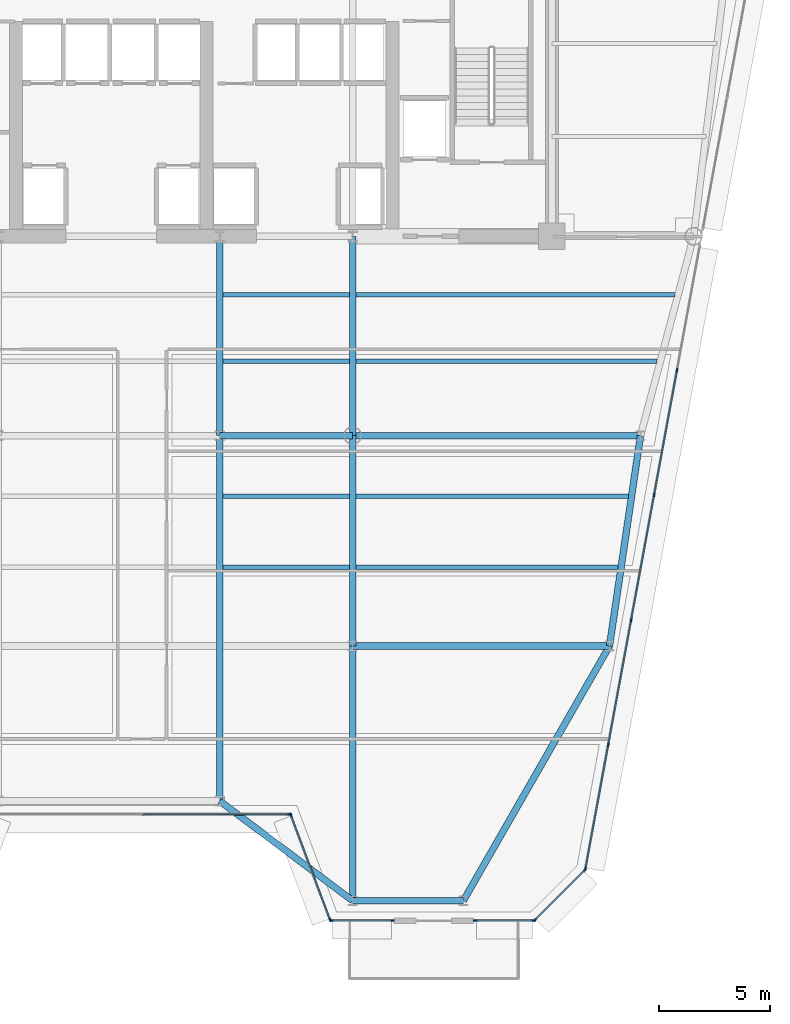
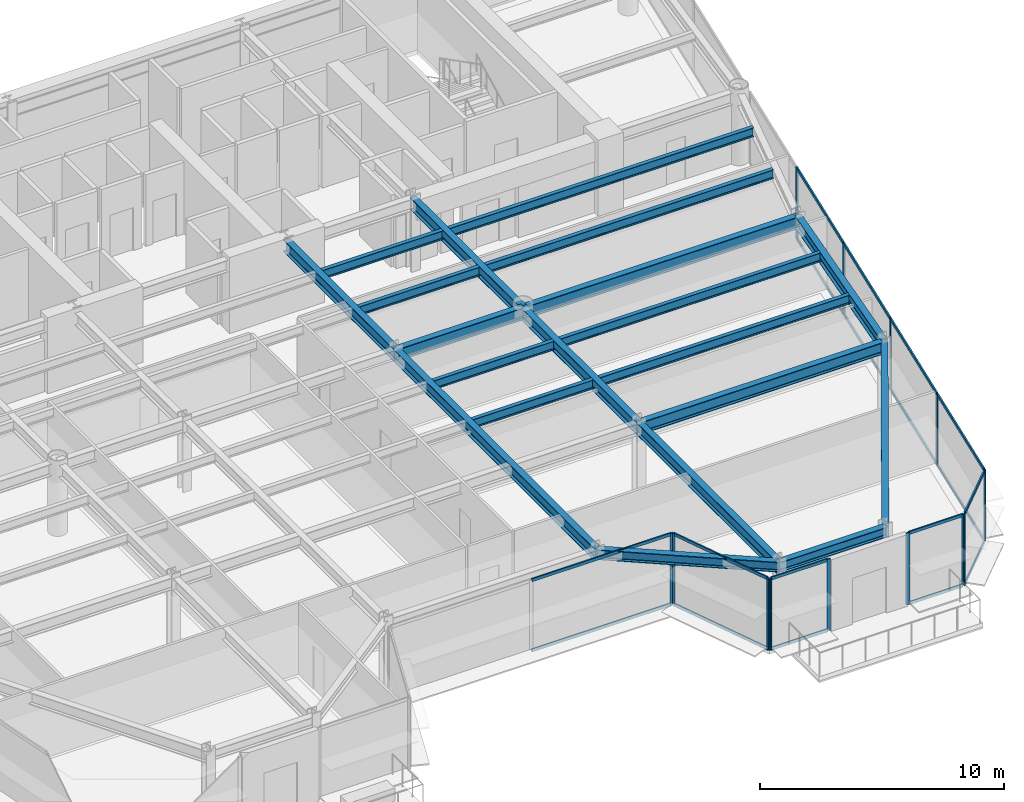
# One storey, part 5 of 17: 32 members, 20 beams, 6 elements without a shape of their own.
"""IFC4 building model written with IfcOpenShell, lengths in metres."""

from ifc_helpers import new_model, si_unit, direction, frame, origin, origin_2d, place, context, subcontext, project, spatial, rectangle, i_section, extrude, source, transform, mapped, material, layer, layer_set, material_profile, profile_set, type_object, element, aggregate, save


model = new_model("IFC4")

# Units and contexts
model_context = context("Model", 3, precision=1e-05, world=origin(), true_north=direction((0.0, 1.0)))
body_context = subcontext(model_context, "Body", "Model", "MODEL_VIEW")
ifc_project = project(units=[si_unit("LENGTHUNIT", "METRE"), si_unit("AREAUNIT", "SQUARE_METRE"), si_unit("VOLUMEUNIT", "CUBIC_METRE"), si_unit("PLANEANGLEUNIT", "RADIAN"), si_unit("MASSUNIT", "GRAM", prefix="KILO")], contexts=[model_context])

# Site, building, storey
site_placement = place(None, origin())
site = spatial("IfcSite", under=ifc_project, at=site_placement, CompositionType="ELEMENT")
building_placement = place(site_placement, origin())
building = spatial("IfcBuilding", under=site, at=building_placement, Name="Vaeldorn Concourse Tower", CompositionType="ELEMENT")
storey_placement = place(building_placement, frame((0.0, 0.0, 180.39990234375)))
storey = spatial("IfcBuildingStorey", under=building, at=storey_placement, Name="L46", CompositionType="ELEMENT", Elevation=180.39990234375)

# Beams
ifc_material_1 = material(Name="Steel S355", Category="steel")
ifc_material_profile_1 = material_profile(ifc_material_1, i_section(OverallWidth=0.300048828125, OverallDepth=0.5, WebThickness=0.014404296875, FlangeThickness=0.028076171875, FilletRadius=0.027099609375, at=origin_2d()), Name="HEB 500")
ifc_profile_set_1 = profile_set([ifc_material_profile_1], Name="Steel S355")
beam_type_1 = type_object("IfcBeamType", Name="BM-SP-HEB500", PredefinedType="SPANDREL", material=ifc_profile_set_1)
shared_shape_1 = source(origin(), body_context, "Body", "SweptSolid", [
    extrude(i_section(OverallWidth=0.300048828125, OverallDepth=0.5, WebThickness=0.014404296875, FlangeThickness=0.028076171875, FilletRadius=0.027099609375, at=origin_2d()), origin(), (0.0, 0.0, 1.0), 5.0),
])
beam_1_placement = place(storey_placement, frame((45.0, 6.5, 3.330078125), z_axis=(1.0, 0.0, 0.0), x_axis=(0.0, 1.0, 0.0)))
element("IfcBeam", 1, at=beam_1_placement, inside=storey, type_object=beam_type_1, Name="Beam BM-L46-C-SF5-C-SF6", PredefinedType="SPANDREL", context=body_context, shape_type="MappedRepresentation", body=[
    mapped(shared_shape_1, transform((0.0, 0.0, 0.0), scale=1.0)),
])
shared_shape_2 = source(origin(), body_context, "Body", "SweptSolid", [
    extrude(i_section(OverallWidth=0.300048828125, OverallDepth=0.5, WebThickness=0.014404296875, FlangeThickness=0.028076171875, FilletRadius=0.027099609375, at=origin_2d()), origin(), (0.0, 0.0, 1.0), 7.5),
])
beam_2_placement = place(storey_placement, frame((39.0, 11.0, 3.330078125), z_axis=(0.8, -0.6, 0.0), x_axis=(0.6, 0.8, 0.0)))
element("IfcBeam", 2, at=beam_2_placement, inside=storey, type_object=beam_type_1, Name="Beam BM-L46-C-SF4-C-SF5", PredefinedType="SPANDREL", context=body_context, shape_type="MappedRepresentation", body=[
    mapped(shared_shape_2, transform((0.0, 0.0, 0.0), scale=1.0)),
])
ifc_material_profile_2 = material_profile(ifc_material_1, i_section(OverallWidth=0.18994140625, OverallDepth=0.449951171875, WebThickness=0.009521484375, FlangeThickness=0.0146484375, FilletRadius=0.02099609375, at=origin_2d()), Name="IPE 450")
ifc_profile_set_2 = profile_set([ifc_material_profile_2], Name="Steel S355")
beam_type_2 = type_object("IfcBeamType", Name="BM-JS-IPE450", PredefinedType="JOIST", material=ifc_profile_set_2)
shared_shape_3 = source(origin(), body_context, "Body", "SweptSolid", [
    extrude(i_section(OverallWidth=0.18994140625, OverallDepth=0.449951171875, WebThickness=0.009521484375, FlangeThickness=0.0146484375, FilletRadius=0.02099609375, at=origin_2d()), origin(), (0.0, 0.0, 1.0), 5.7001953125),
])
for number, where, z_axis, x_axis, name in (
    (3, (39.14990234375, 21.56005859375, 3.35498046875), (1.0, 0.0, 0.0), (0.0, 1.0, 0.0), "Beam JS-L46-E2-215"),
    (4, (39.14990234375, 24.760009765625, 3.35498046875), (1.0, 0.0, 0.0), (0.0, 1.0, 0.0), "Beam JS-L46-E2-247"),
    (5, (39.14990234375, 30.860107421875, 3.35498046875), (1.0, 0.0, 0.0), (0.0, 1.0, 0.0), "Beam JS-L46-E2-308"),
    (6, (39.14990234375, 33.860107421875, 3.35498046875), (1.0, 0.0, 0.0), (0.0, 1.0, 0.0), "Beam JS-L46-E2-338"),
):
    element("IfcBeam", number, at=place(storey_placement, frame(where, z_axis=z_axis, x_axis=x_axis)), inside=storey, type_object=beam_type_2, Name=name, PredefinedType="JOIST", context=body_context, shape_type="MappedRepresentation", body=[
        mapped(shared_shape_3, transform((0.0, 0.0, 0.0), scale=1.0)),
    ])
shared_shape_4 = source(origin(), body_context, "Body", "SweptSolid", [
    extrude(i_section(OverallWidth=0.18994140625, OverallDepth=0.449951171875, WebThickness=0.009521484375, FlangeThickness=0.0146484375, FilletRadius=0.02099609375, at=origin_2d()), origin(), (0.0, 0.0, 1.0), 11.82470703125),
])
beam_3_placement = place(storey_placement, frame((45.14990234375, 21.56005859375, 3.35498046875), z_axis=(1.0, 0.0, 0.0), x_axis=(0.0, 1.0, 0.0)))
element("IfcBeam", 7, at=beam_3_placement, inside=storey, type_object=beam_type_2, Name="Beam JS-L46-E1-215", PredefinedType="JOIST", context=body_context, shape_type="MappedRepresentation", body=[
    mapped(shared_shape_4, transform((0.0, 0.0, 0.0), scale=1.0)),
])
shared_shape_5 = source(origin(), body_context, "Body", "SweptSolid", [
    extrude(i_section(OverallWidth=0.18994140625, OverallDepth=0.449951171875, WebThickness=0.009521484375, FlangeThickness=0.0146484375, FilletRadius=0.02099609375, at=origin_2d()), origin(), (0.0, 0.0, 1.0), 12.29638671875),
])
beam_4_placement = place(storey_placement, frame((45.14990234375, 24.760009765625, 3.35498046875), z_axis=(1.0, 0.0, 0.0), x_axis=(0.0, 1.0, 0.0)))
element("IfcBeam", 8, at=beam_4_placement, inside=storey, type_object=beam_type_2, Name="Beam JS-L46-E1-247", PredefinedType="JOIST", context=body_context, shape_type="MappedRepresentation", body=[
    mapped(shared_shape_5, transform((0.0, 0.0, 0.0), scale=1.0)),
])
shared_shape_6 = source(origin(), body_context, "Body", "SweptSolid", [
    extrude(i_section(OverallWidth=0.18994140625, OverallDepth=0.449951171875, WebThickness=0.009521484375, FlangeThickness=0.0146484375, FilletRadius=0.02099609375, at=origin_2d()), origin(), (0.0, 0.0, 1.0), 13.59619140625),
])
beam_5_placement = place(storey_placement, frame((45.14990234375, 30.860107421875, 3.35498046875), z_axis=(1.0, 0.0, 0.0), x_axis=(0.0, 1.0, 0.0)))
element("IfcBeam", 9, at=beam_5_placement, inside=storey, type_object=beam_type_2, Name="Beam JS-L46-E1-308", PredefinedType="JOIST", context=body_context, shape_type="MappedRepresentation", body=[
    mapped(shared_shape_6, transform((0.0, 0.0, 0.0), scale=1.0)),
])
shared_shape_7 = source(origin(), body_context, "Body", "SweptSolid", [
    extrude(i_section(OverallWidth=0.18994140625, OverallDepth=0.449951171875, WebThickness=0.009521484375, FlangeThickness=0.0146484375, FilletRadius=0.02099609375, at=origin_2d()), origin(), (0.0, 0.0, 1.0), 14.39599609375),
])
beam_6_placement = place(storey_placement, frame((45.14990234375, 33.860107421875, 3.35498046875), z_axis=(1.0, 0.0, 0.0), x_axis=(0.0, 1.0, 0.0)))
element("IfcBeam", 10, at=beam_6_placement, inside=storey, type_object=beam_type_2, Name="Beam JS-L46-E1-338", PredefinedType="JOIST", context=body_context, shape_type="MappedRepresentation", body=[
    mapped(shared_shape_7, transform((0.0, 0.0, 0.0), scale=1.0)),
])
ifc_material_profile_3 = material_profile(ifc_material_1, i_section(OverallWidth=0.300048828125, OverallDepth=0.60009765625, WebThickness=0.015380859375, FlangeThickness=0.030029296875, FilletRadius=0.027099609375, at=origin_2d()), Name="HEB 600")
ifc_profile_set_3 = profile_set([ifc_material_profile_3], Name="Steel S355")
beam_type_3 = type_object("IfcBeamType", Name="BM-PG-HEB600", PredefinedType="BEAM", material=ifc_profile_set_3)
shared_shape_8 = source(origin(), body_context, "Body", "SweptSolid", [
    extrude(i_section(OverallWidth=0.300048828125, OverallDepth=0.60009765625, WebThickness=0.015380859375, FlangeThickness=0.030029296875, FilletRadius=0.027099609375, at=origin_2d()), origin(), (0.0, 0.0, 1.0), 6.0),
])
beam_7_placement = place(storey_placement, frame((39.0, 27.5, 3.280029296875), z_axis=(1.0, 0.0, 0.0), x_axis=(0.0, 1.0, 0.0)))
element("IfcBeam", 11, at=beam_7_placement, inside=storey, type_object=beam_type_3, Name="Beam BM-L46-C-TW3-C-TW4", PredefinedType="BEAM", context=body_context, shape_type="MappedRepresentation", body=[
    mapped(shared_shape_8, transform((0.0, 0.0, 0.0), scale=1.0)),
])
shared_shape_9 = source(origin(), body_context, "Body", "SweptSolid", [
    extrude(i_section(OverallWidth=0.300048828125, OverallDepth=0.60009765625, WebThickness=0.015380859375, FlangeThickness=0.030029296875, FilletRadius=0.027099609375, at=origin_2d()), origin(), (0.0, 0.0, 1.0), 9.0),
])
for number, where, z_axis, x_axis, name in (
    (12, (39.0, 27.5, 3.280029296875), (0.0, 1.0, 0.0), (-1.0, 0.0, 0.0), "Beam BM-L46-C-TW3-C-FC4"),
    (13, (45.0, 27.5, 3.280029296875), (0.0, 1.0, 0.0), (-1.0, 0.0, 0.0), "Beam BM-L46-C-TW4-C-FC5"),
):
    element("IfcBeam", number, at=place(storey_placement, frame(where, z_axis=z_axis, x_axis=x_axis)), inside=storey, type_object=beam_type_3, Name=name, PredefinedType="BEAM", context=body_context, shape_type="MappedRepresentation", body=[
        mapped(shared_shape_9, transform((0.0, 0.0, 0.0), scale=1.0)),
    ])
shared_shape_10 = source(origin(), body_context, "Body", "SweptSolid", [
    extrude(i_section(OverallWidth=0.300048828125, OverallDepth=0.60009765625, WebThickness=0.015380859375, FlangeThickness=0.030029296875, FilletRadius=0.027099609375, at=origin_2d()), origin(), (0.0, 0.0, 1.0), 13.0),
])
beam_8_placement = place(storey_placement, frame((45.0, 27.5, 3.280029296875), z_axis=(1.0, 0.0, 0.0), x_axis=(0.0, 1.0, 0.0)))
element("IfcBeam", 14, at=beam_8_placement, inside=storey, type_object=beam_type_3, Name="Beam BM-L46-C-TW4-C-FLE1", PredefinedType="BEAM", context=body_context, shape_type="MappedRepresentation", body=[
    mapped(shared_shape_10, transform((0.0, 0.0, 0.0), scale=1.0)),
])
shared_shape_11 = source(origin(), body_context, "Body", "SweptSolid", [
    extrude(i_section(OverallWidth=0.300048828125, OverallDepth=0.60009765625, WebThickness=0.015380859375, FlangeThickness=0.030029296875, FilletRadius=0.027099609375, at=origin_2d()), origin(), (0.0, 0.0, 1.0), 9.6025390625),
])
beam_9_placement = place(storey_placement, frame((58.0, 27.5, 3.280029296875), z_axis=(-0.145783835977, -0.989316467652, 0.0), x_axis=(0.989316467652, -0.145783835977, 0.0)))
element("IfcBeam", 15, at=beam_9_placement, inside=storey, type_object=beam_type_3, Name="Beam BM-L46-C-FLE1-C-FLE2", PredefinedType="BEAM", context=body_context, shape_type="MappedRepresentation", body=[
    mapped(shared_shape_11, transform((0.0, 0.0, 0.0), scale=1.0)),
])
shared_shape_12 = source(origin(), body_context, "Body", "SweptSolid", [
    extrude(i_section(OverallWidth=0.300048828125, OverallDepth=0.60009765625, WebThickness=0.015380859375, FlangeThickness=0.030029296875, FilletRadius=0.027099609375, at=origin_2d()), origin(), (0.0, 0.0, 1.0), 11.60009765625),
])
beam_10_placement = place(storey_placement, frame((45.0, 18.0, 3.280029296875), z_axis=(1.0, 0.0, 0.0), x_axis=(0.0, 1.0, 0.0)))
element("IfcBeam", 16, at=beam_10_placement, inside=storey, type_object=beam_type_3, Name="Beam BM-L46-C-TW6-C-FLE2", PredefinedType="BEAM", context=body_context, shape_type="MappedRepresentation", body=[
    mapped(shared_shape_12, transform((0.0, 0.0, 0.0), scale=1.0)),
])
shared_shape_13 = source(origin(), body_context, "Body", "SweptSolid", [
    extrude(i_section(OverallWidth=0.300048828125, OverallDepth=0.60009765625, WebThickness=0.015380859375, FlangeThickness=0.030029296875, FilletRadius=0.027099609375, at=origin_2d()), origin(), (0.0, 0.0, 1.0), 9.5),
])
beam_11_placement = place(storey_placement, frame((45.0, 18.0, 3.280029296875), z_axis=(0.0, 1.0, 0.0), x_axis=(-1.0, 0.0, 0.0)))
element("IfcBeam", 17, at=beam_11_placement, inside=storey, type_object=beam_type_3, Name="Beam BM-L46-C-TW6-C-TW4", PredefinedType="BEAM", context=body_context, shape_type="MappedRepresentation", body=[
    mapped(shared_shape_13, transform((0.0, 0.0, 0.0), scale=1.0)),
])
shared_shape_14 = source(origin(), body_context, "Body", "SweptSolid", [
    extrude(i_section(OverallWidth=0.300048828125, OverallDepth=0.60009765625, WebThickness=0.015380859375, FlangeThickness=0.030029296875, FilletRadius=0.027099609375, at=origin_2d()), origin(), (0.0, 0.0, 1.0), 13.25927734375),
])
beam_12_placement = place(storey_placement, frame((50.0, 6.5, 3.280029296875), z_axis=(0.497768009943, 0.867310214558, 0.0), x_axis=(-0.867310214558, 0.497768009943, 0.0)))
element("IfcBeam", 18, at=beam_12_placement, inside=storey, type_object=beam_type_3, Name="Beam BM-L46-C-SF6-C-FLE2", PredefinedType="BEAM", context=body_context, shape_type="MappedRepresentation", body=[
    mapped(shared_shape_14, transform((0.0, 0.0, 0.0), scale=1.0)),
])
shared_shape_15 = source(origin(), body_context, "Body", "SweptSolid", [
    extrude(i_section(OverallWidth=0.300048828125, OverallDepth=0.60009765625, WebThickness=0.015380859375, FlangeThickness=0.030029296875, FilletRadius=0.027099609375, at=origin_2d()), origin(), (0.0, 0.0, 1.0), 11.5),
])
beam_13_placement = place(storey_placement, frame((45.0, 6.5, 3.280029296875), z_axis=(0.0, 1.0, 0.0), x_axis=(-1.0, 0.0, 0.0)))
element("IfcBeam", 19, at=beam_13_placement, inside=storey, type_object=beam_type_3, Name="Beam BM-L46-C-SF5-C-TW6", PredefinedType="BEAM", context=body_context, shape_type="MappedRepresentation", body=[
    mapped(shared_shape_15, transform((0.0, 0.0, 0.0), scale=1.0)),
])
shared_shape_16 = source(origin(), body_context, "Body", "SweptSolid", [
    extrude(i_section(OverallWidth=0.300048828125, OverallDepth=0.60009765625, WebThickness=0.015380859375, FlangeThickness=0.030029296875, FilletRadius=0.027099609375, at=origin_2d()), origin(), (0.0, 0.0, 1.0), 16.5),
])
beam_14_placement = place(storey_placement, frame((39.0, 11.0, 3.280029296875), z_axis=(0.0, 1.0, 0.0), x_axis=(-1.0, 0.0, 0.0)))
element("IfcBeam", 20, at=beam_14_placement, inside=storey, type_object=beam_type_3, Name="Beam BM-L46-C-SF4-C-TW3", PredefinedType="BEAM", context=body_context, shape_type="MappedRepresentation", body=[
    mapped(shared_shape_16, transform((0.0, 0.0, 0.0), scale=1.0)),
])

# Curtain wall, members
ifc_material_2 = material(Name="Anodised Bronze Aluminium", Category="aluminium")
ifc_layer = layer(ifc_material_2, 0.2099609375)
ifc_layer_set = layer_set([ifc_layer], Name="Anodised Bronze Aluminium")
curtain_wall_type = type_object("IfcCurtainWallType", Name="CW-SYS-06", PredefinedType="NOTDEFINED", material=ifc_layer_set)
curtain_wall_1_placement = place(storey_placement, origin())
curtain_wall_1 = element("IfcCurtainWall", 21, at=curtain_wall_1_placement, inside=storey, type_object=curtain_wall_type, Name="Unitised Curtain Wall CW-L46-E04-1", PredefinedType="NOTDEFINED")
ifc_material_profile_4 = material_profile(ifc_material_2, rectangle(XDim=0.06494140625, YDim=0.14990234375, at=origin_2d()), Name="CWT 65x150")
ifc_profile_set_4 = profile_set([ifc_material_profile_4], Name="Anodised Bronze Aluminium")
member_type_1 = type_object("IfcMemberType", Name="CWT-BRONZE-150", PredefinedType="USERDEFINED", material=ifc_profile_set_4)
shared_shape_17 = source(origin(), body_context, "Body", "SweptSolid", [
    extrude(rectangle(XDim=0.06494140625, YDim=0.14990234375, at=origin_2d()), origin(), (0.0, 0.0, 1.0), 4.996337890625),
])
member_1_placement = place(storey_placement, frame((42.222900390625, 10.339111328125, 0.03271484375), z_axis=(0.351134151405, -0.936325161318, 0.0), x_axis=(0.936325161318, 0.351134151405, 0.0)))
member_1 = element("IfcMember", 22, at=member_1_placement, type_object=member_type_1, Name="CW-06 transom 1.1", ObjectType="TRANSOM", PredefinedType="USERDEFINED", context=body_context, shape_type="MappedRepresentation", body=[
    mapped(shared_shape_17, transform((0.0, 0.0, 0.0), scale=1.0)),
])
member_2_placement = place(storey_placement, frame((42.222900390625, 10.339111328125, 3.547607421875), z_axis=(0.351134151405, -0.936325161318, 0.0), x_axis=(0.936325161318, 0.351134151405, 0.0)))
member_2 = element("IfcMember", 23, at=member_2_placement, type_object=member_type_1, Name="CW-06 transom 1.2", ObjectType="TRANSOM", PredefinedType="USERDEFINED", context=body_context, shape_type="MappedRepresentation", body=[
    mapped(shared_shape_17, transform((0.0, 0.0, 0.0), scale=1.0)),
])

curtain_wall_2_placement = place(storey_placement, origin())
curtain_wall_2 = element("IfcCurtainWall", 24, at=curtain_wall_2_placement, inside=storey, type_object=curtain_wall_type, Name="Unitised Curtain Wall CW-L46-E03-1", PredefinedType="NOTDEFINED")
shared_shape_18 = source(origin(), body_context, "Body", "SweptSolid", [
    extrude(rectangle(XDim=0.06494140625, YDim=0.14990234375, at=origin_2d()), origin(), (0.0, 0.0, 1.0), 6.6025390625),
])
member_3_placement = place(storey_placement, frame((35.532470703125, 10.39990234375, 0.03271484375), z_axis=(1.0, 0.0, 0.0), x_axis=(0.0, 1.0, 0.0)))
member_3 = element("IfcMember", 25, at=member_3_placement, type_object=member_type_1, Name="CW-06 transom 2.1", ObjectType="TRANSOM", PredefinedType="USERDEFINED", context=body_context, shape_type="MappedRepresentation", body=[
    mapped(shared_shape_18, transform((0.0, 0.0, 0.0), scale=1.0)),
])
member_4_placement = place(storey_placement, frame((35.532470703125, 10.39990234375, 3.547607421875), z_axis=(1.0, 0.0, 0.0), x_axis=(0.0, 1.0, 0.0)))
member_4 = element("IfcMember", 26, at=member_4_placement, type_object=member_type_1, Name="CW-06 transom 2.2", ObjectType="TRANSOM", PredefinedType="USERDEFINED", context=body_context, shape_type="MappedRepresentation", body=[
    mapped(shared_shape_18, transform((0.0, 0.0, 0.0), scale=1.0)),
])
ifc_material_profile_5 = material_profile(ifc_material_2, rectangle(XDim=0.06494140625, YDim=0.169921875, at=origin_2d()), Name="CWM 65x170")
ifc_profile_set_5 = profile_set([ifc_material_profile_5], Name="Anodised Bronze Aluminium")
member_type_2 = type_object("IfcMemberType", Name="CWM-BRONZE-170", PredefinedType="MULLION", material=ifc_profile_set_5)
shared_shape_19 = source(origin(), body_context, "Body", "SweptSolid", [
    extrude(rectangle(XDim=0.06494140625, YDim=0.169921875, at=origin_2d()), origin(), (0.0, 0.0, 1.0), 3.580078125),
])
member_5_placement = place(storey_placement, frame((42.16748046875, 10.39990234375, 0.0), z_axis=(0.0, 0.0, 1.0), x_axis=(0.0, 1.0, 0.0)))
member_5 = element("IfcMember", 27, at=member_5_placement, type_object=member_type_2, Name="CW-06 mullion 3", PredefinedType="MULLION", context=body_context, shape_type="MappedRepresentation", body=[
    mapped(shared_shape_19, transform((0.0, 0.0, 0.0), scale=1.0)),
])
aggregate(curtain_wall_2, [member_5, member_3, member_4])

# Member
member_6_placement = place(storey_placement, frame((42.21142578125, 10.36962890625, 0.0), z_axis=(0.0, 0.0, 1.0), x_axis=(0.936329177566, 0.351123441595, 0.0)))
member_6 = element("IfcMember", 28, at=member_6_placement, type_object=member_type_2, Name="CW-06 mullion 1", PredefinedType="MULLION", context=body_context, shape_type="MappedRepresentation", body=[
    mapped(shared_shape_19, transform((0.0, 0.0, 0.0), scale=1.0)),
])

member_7_placement = place(storey_placement, frame((43.988525390625, 5.63037109375, 0.0), z_axis=(0.0, 0.0, 1.0), x_axis=(0.936329177566, 0.351123441595, 0.0)))
member_7 = element("IfcMember", 29, at=member_7_placement, type_object=member_type_2, Name="CW-06 mullion 2", PredefinedType="MULLION", context=body_context, shape_type="MappedRepresentation", body=[
    mapped(shared_shape_19, transform((0.0, 0.0, 0.0), scale=1.0)),
])

aggregate(curtain_wall_1, [member_6, member_7, member_1, member_2])

# Curtain wall, members
curtain_wall_3_placement = place(storey_placement, origin())
curtain_wall_3 = element("IfcCurtainWall", 30, at=curtain_wall_3_placement, inside=storey, type_object=curtain_wall_type, Name="Unitised Curtain Wall CW-L46-E05-1", PredefinedType="NOTDEFINED")
member_8_placement = place(storey_placement, frame((44.032470703125, 5.60009765625, 0.0), z_axis=(0.0, 0.0, 1.0), x_axis=(0.0, 1.0, 0.0)))
member_8 = element("IfcMember", 31, at=member_8_placement, type_object=member_type_2, Name="CW-06 mullion 1", PredefinedType="MULLION", context=body_context, shape_type="MappedRepresentation", body=[
    mapped(shared_shape_19, transform((0.0, 0.0, 0.0), scale=1.0)),
])
member_9_placement = place(storey_placement, frame((46.797607421875, 5.60009765625, 0.0), z_axis=(0.0, 0.0, 1.0), x_axis=(0.0, 1.0, 0.0)))
member_9 = element("IfcMember", 32, at=member_9_placement, type_object=member_type_2, Name="CW-06 mullion 2", PredefinedType="MULLION", context=body_context, shape_type="MappedRepresentation", body=[
    mapped(shared_shape_19, transform((0.0, 0.0, 0.0), scale=1.0)),
])

curtain_wall_4_placement = place(storey_placement, origin())
curtain_wall_4 = element("IfcCurtainWall", 33, at=curtain_wall_4_placement, inside=storey, type_object=curtain_wall_type, Name="Unitised Curtain Wall CW-L46-E05-2", PredefinedType="NOTDEFINED")
member_10_placement = place(storey_placement, frame((50.54248046875, 5.60009765625, 0.0), z_axis=(0.0, 0.0, 1.0), x_axis=(0.0, 1.0, 0.0)))
member_10 = element("IfcMember", 34, at=member_10_placement, type_object=member_type_2, Name="CW-06 mullion 1", PredefinedType="MULLION", context=body_context, shape_type="MappedRepresentation", body=[
    mapped(shared_shape_19, transform((0.0, 0.0, 0.0), scale=1.0)),
])
member_11_placement = place(storey_placement, frame((53.176513671875, 5.60009765625, 0.0), z_axis=(0.0, 0.0, 1.0), x_axis=(0.0, 1.0, 0.0)))
member_11 = element("IfcMember", 35, at=member_11_placement, type_object=member_type_2, Name="CW-06 mullion 2", PredefinedType="MULLION", context=body_context, shape_type="MappedRepresentation", body=[
    mapped(shared_shape_19, transform((0.0, 0.0, 0.0), scale=1.0)),
])

curtain_wall_5_placement = place(storey_placement, origin())
curtain_wall_5 = element("IfcCurtainWall", 36, at=curtain_wall_5_placement, inside=storey, type_object=curtain_wall_type, Name="Unitised Curtain Wall CW-L46-E06-1", PredefinedType="NOTDEFINED")
member_12_placement = place(storey_placement, frame((53.23193359375, 5.623046875, 0.0), z_axis=(0.0, 0.0, 1.0), x_axis=(-0.707106781187, 0.707106781187, 0.0)))
member_12 = element("IfcMember", 37, at=member_12_placement, type_object=member_type_2, Name="CW-06 mullion 1", PredefinedType="MULLION", context=body_context, shape_type="MappedRepresentation", body=[
    mapped(shared_shape_19, transform((0.0, 0.0, 0.0), scale=1.0)),
])
member_13_placement = place(storey_placement, frame((55.486083984375, 7.876953125, 0.0), z_axis=(0.0, 0.0, 1.0), x_axis=(-0.707106781187, 0.707106781187, 0.0)))
member_13 = element("IfcMember", 38, at=member_13_placement, type_object=member_type_2, Name="CW-06 mullion 2", PredefinedType="MULLION", context=body_context, shape_type="MappedRepresentation", body=[
    mapped(shared_shape_19, transform((0.0, 0.0, 0.0), scale=1.0)),
])

curtain_wall_6_placement = place(storey_placement, origin())
curtain_wall_6 = element("IfcCurtainWall", 39, at=curtain_wall_6_placement, inside=storey, type_object=curtain_wall_type, Name="Unitised Curtain Wall CW-L46-E07-1", PredefinedType="NOTDEFINED")
member_14_placement = place(storey_placement, frame((55.514892578125, 7.931884765625, 0.0), z_axis=(0.0, 0.0, 1.0), x_axis=(-0.983559325018, 0.180585309951, 0.0)))
member_14 = element("IfcMember", 40, at=member_14_placement, type_object=member_type_2, Name="CW-06 mullion 1", PredefinedType="MULLION", context=body_context, shape_type="MappedRepresentation", body=[
    mapped(shared_shape_19, transform((0.0, 0.0, 0.0), scale=1.0)),
])
member_15_placement = place(storey_placement, frame((56.5439453125, 13.53662109375, 0.0), z_axis=(0.0, 0.0, 1.0), x_axis=(-0.983559325018, 0.180585309951, 0.0)))
member_15 = element("IfcMember", 41, at=member_15_placement, type_object=member_type_2, Name="CW-06 mullion 2", PredefinedType="MULLION", context=body_context, shape_type="MappedRepresentation", body=[
    mapped(shared_shape_19, transform((0.0, 0.0, 0.0), scale=1.0)),
])
member_16_placement = place(storey_placement, frame((57.578857421875, 19.17333984375, 0.0), z_axis=(0.0, 0.0, 1.0), x_axis=(-0.983559325018, 0.180585309951, 0.0)))
member_16 = element("IfcMember", 42, at=member_16_placement, type_object=member_type_2, Name="CW-06 mullion 3", PredefinedType="MULLION", context=body_context, shape_type="MappedRepresentation", body=[
    mapped(shared_shape_19, transform((0.0, 0.0, 0.0), scale=1.0)),
])
member_17_placement = place(storey_placement, frame((58.61376953125, 24.81005859375, 0.0), z_axis=(0.0, 0.0, 1.0), x_axis=(-0.983559325018, 0.180585309951, 0.0)))
member_17 = element("IfcMember", 43, at=member_17_placement, type_object=member_type_2, Name="CW-06 mullion 4", PredefinedType="MULLION", context=body_context, shape_type="MappedRepresentation", body=[
    mapped(shared_shape_19, transform((0.0, 0.0, 0.0), scale=1.0)),
])
member_18_placement = place(storey_placement, frame((59.648681640625, 30.44677734375, 0.0), z_axis=(0.0, 0.0, 1.0), x_axis=(-0.983559325018, 0.180585309951, 0.0)))
member_18 = element("IfcMember", 44, at=member_18_placement, type_object=member_type_2, Name="CW-06 mullion 5", PredefinedType="MULLION", context=body_context, shape_type="MappedRepresentation", body=[
    mapped(shared_shape_19, transform((0.0, 0.0, 0.0), scale=1.0)),
])

# Member
shared_shape_20 = source(origin(), body_context, "Body", "SweptSolid", [
    extrude(rectangle(XDim=0.06494140625, YDim=0.14990234375, at=origin_2d()), origin(), (0.0, 0.0, 1.0), 2.699951171875),
])
member_19_placement = place(storey_placement, frame((44.06494140625, 5.60009765625, 0.03271484375), z_axis=(1.0, 0.0, 0.0), x_axis=(0.0, 1.0, 0.0)))
member_19 = element("IfcMember", 45, at=member_19_placement, type_object=member_type_1, Name="CW-06 transom 1.1", ObjectType="TRANSOM", PredefinedType="USERDEFINED", context=body_context, shape_type="MappedRepresentation", body=[
    mapped(shared_shape_20, transform((0.0, 0.0, 0.0), scale=1.0)),
])

member_20_placement = place(storey_placement, frame((44.06494140625, 5.60009765625, 3.547607421875), z_axis=(1.0, 0.0, 0.0), x_axis=(0.0, 1.0, 0.0)))
member_20 = element("IfcMember", 46, at=member_20_placement, type_object=member_type_1, Name="CW-06 transom 1.2", ObjectType="TRANSOM", PredefinedType="USERDEFINED", context=body_context, shape_type="MappedRepresentation", body=[
    mapped(shared_shape_20, transform((0.0, 0.0, 0.0), scale=1.0)),
])

aggregate(curtain_wall_3, [member_8, member_9, member_19, member_20])

shared_shape_21 = source(origin(), body_context, "Body", "SweptSolid", [
    extrude(rectangle(XDim=0.06494140625, YDim=0.14990234375, at=origin_2d()), origin(), (0.0, 0.0, 1.0), 2.569091796875),
])
member_21_placement = place(storey_placement, frame((50.574951171875, 5.60009765625, 0.03271484375), z_axis=(1.0, 0.0, 0.0), x_axis=(0.0, 1.0, 0.0)))
member_21 = element("IfcMember", 47, at=member_21_placement, type_object=member_type_1, Name="CW-06 transom 1.1", ObjectType="TRANSOM", PredefinedType="USERDEFINED", context=body_context, shape_type="MappedRepresentation", body=[
    mapped(shared_shape_21, transform((0.0, 0.0, 0.0), scale=1.0)),
])

member_22_placement = place(storey_placement, frame((50.574951171875, 5.60009765625, 3.547607421875), z_axis=(1.0, 0.0, 0.0), x_axis=(0.0, 1.0, 0.0)))
member_22 = element("IfcMember", 48, at=member_22_placement, type_object=member_type_1, Name="CW-06 transom 1.2", ObjectType="TRANSOM", PredefinedType="USERDEFINED", context=body_context, shape_type="MappedRepresentation", body=[
    mapped(shared_shape_21, transform((0.0, 0.0, 0.0), scale=1.0)),
])

aggregate(curtain_wall_4, [member_10, member_11, member_21, member_22])

shared_shape_22 = source(origin(), body_context, "Body", "SweptSolid", [
    extrude(rectangle(XDim=0.06494140625, YDim=0.14990234375, at=origin_2d()), origin(), (0.0, 0.0, 1.0), 3.122802734375),
])
member_23_placement = place(storey_placement, frame((53.2548828125, 5.64599609375, 0.03271484375), z_axis=(0.707145870536, 0.707067689676, 0.0), x_axis=(-0.707067689676, 0.707145870536, 0.0)))
member_23 = element("IfcMember", 49, at=member_23_placement, type_object=member_type_1, Name="CW-06 transom 1.1", ObjectType="TRANSOM", PredefinedType="USERDEFINED", context=body_context, shape_type="MappedRepresentation", body=[
    mapped(shared_shape_22, transform((0.0, 0.0, 0.0), scale=1.0)),
])

member_24_placement = place(storey_placement, frame((53.2548828125, 5.64599609375, 3.547607421875), z_axis=(0.707145870536, 0.707067689676, 0.0), x_axis=(-0.707067689676, 0.707145870536, 0.0)))
member_24 = element("IfcMember", 50, at=member_24_placement, type_object=member_type_1, Name="CW-06 transom 1.2", ObjectType="TRANSOM", PredefinedType="USERDEFINED", context=body_context, shape_type="MappedRepresentation", body=[
    mapped(shared_shape_22, transform((0.0, 0.0, 0.0), scale=1.0)),
])

aggregate(curtain_wall_5, [member_12, member_13, member_23, member_24])

shared_shape_23 = source(origin(), body_context, "Body", "SweptSolid", [
    extrude(rectangle(XDim=0.06494140625, YDim=0.14990234375, at=origin_2d()), origin(), (0.0, 0.0, 1.0), 5.63330078125),
])
member_25_placement = place(storey_placement, frame((55.520751953125, 7.9638671875, 0.03271484375), z_axis=(0.180589917692, 0.983558479008, 0.0), x_axis=(-0.983558479008, 0.180589917692, 0.0)))
member_25 = element("IfcMember", 51, at=member_25_placement, type_object=member_type_1, Name="CW-06 transom 1.1", ObjectType="TRANSOM", PredefinedType="USERDEFINED", context=body_context, shape_type="MappedRepresentation", body=[
    mapped(shared_shape_23, transform((0.0, 0.0, 0.0), scale=1.0)),
])

member_26_placement = place(storey_placement, frame((55.520751953125, 7.9638671875, 3.547607421875), z_axis=(0.180589917692, 0.983558479008, 0.0), x_axis=(-0.983558479008, 0.180589917692, 0.0)))
member_26 = element("IfcMember", 52, at=member_26_placement, type_object=member_type_1, Name="CW-06 transom 1.2", ObjectType="TRANSOM", PredefinedType="USERDEFINED", context=body_context, shape_type="MappedRepresentation", body=[
    mapped(shared_shape_23, transform((0.0, 0.0, 0.0), scale=1.0)),
])

shared_shape_24 = source(origin(), body_context, "Body", "SweptSolid", [
    extrude(rectangle(XDim=0.06494140625, YDim=0.14990234375, at=origin_2d()), origin(), (0.0, 0.0, 1.0), 5.666015625),
])
member_27_placement = place(storey_placement, frame((56.5498046875, 13.568603515625, 0.03271484375), z_axis=(0.180587719149, 0.983558882677, 0.0), x_axis=(-0.983558882677, 0.180587719149, 0.0)))
member_27 = element("IfcMember", 53, at=member_27_placement, type_object=member_type_1, Name="CW-06 transom 2.1", ObjectType="TRANSOM", PredefinedType="USERDEFINED", context=body_context, shape_type="MappedRepresentation", body=[
    mapped(shared_shape_24, transform((0.0, 0.0, 0.0), scale=1.0)),
])

member_28_placement = place(storey_placement, frame((56.5498046875, 13.568603515625, 3.547607421875), z_axis=(0.180587719149, 0.983558882677, 0.0), x_axis=(-0.983558882677, 0.180587719149, 0.0)))
member_28 = element("IfcMember", 54, at=member_28_placement, type_object=member_type_1, Name="CW-06 transom 2.2", ObjectType="TRANSOM", PredefinedType="USERDEFINED", context=body_context, shape_type="MappedRepresentation", body=[
    mapped(shared_shape_24, transform((0.0, 0.0, 0.0), scale=1.0)),
])

member_29_placement = place(storey_placement, frame((57.584716796875, 19.205322265625, 0.03271484375), z_axis=(0.180587719149, 0.983558882677, 0.0), x_axis=(-0.983558882677, 0.180587719149, 0.0)))
member_29 = element("IfcMember", 55, at=member_29_placement, type_object=member_type_1, Name="CW-06 transom 3.1", ObjectType="TRANSOM", PredefinedType="USERDEFINED", context=body_context, shape_type="MappedRepresentation", body=[
    mapped(shared_shape_24, transform((0.0, 0.0, 0.0), scale=1.0)),
])

member_30_placement = place(storey_placement, frame((57.584716796875, 19.205322265625, 3.547607421875), z_axis=(0.180587719149, 0.983558882677, 0.0), x_axis=(-0.983558882677, 0.180587719149, 0.0)))
member_30 = element("IfcMember", 56, at=member_30_placement, type_object=member_type_1, Name="CW-06 transom 3.2", ObjectType="TRANSOM", PredefinedType="USERDEFINED", context=body_context, shape_type="MappedRepresentation", body=[
    mapped(shared_shape_24, transform((0.0, 0.0, 0.0), scale=1.0)),
])

member_31_placement = place(storey_placement, frame((58.61962890625, 24.842041015625, 0.03271484375), z_axis=(0.180587719149, 0.983558882677, 0.0), x_axis=(-0.983558882677, 0.180587719149, 0.0)))
member_31 = element("IfcMember", 57, at=member_31_placement, type_object=member_type_1, Name="CW-06 transom 4.1", ObjectType="TRANSOM", PredefinedType="USERDEFINED", context=body_context, shape_type="MappedRepresentation", body=[
    mapped(shared_shape_24, transform((0.0, 0.0, 0.0), scale=1.0)),
])

member_32_placement = place(storey_placement, frame((58.61962890625, 24.842041015625, 3.547607421875), z_axis=(0.180587719149, 0.983558882677, 0.0), x_axis=(-0.983558882677, 0.180587719149, 0.0)))
member_32 = element("IfcMember", 58, at=member_32_placement, type_object=member_type_1, Name="CW-06 transom 4.2", ObjectType="TRANSOM", PredefinedType="USERDEFINED", context=body_context, shape_type="MappedRepresentation", body=[
    mapped(shared_shape_24, transform((0.0, 0.0, 0.0), scale=1.0)),
])

aggregate(curtain_wall_6, [member_14, member_15, member_16, member_17, member_18, member_25, member_26, member_27, member_28, member_29, member_30, member_31, member_32])

save(model, "model.ifc")
